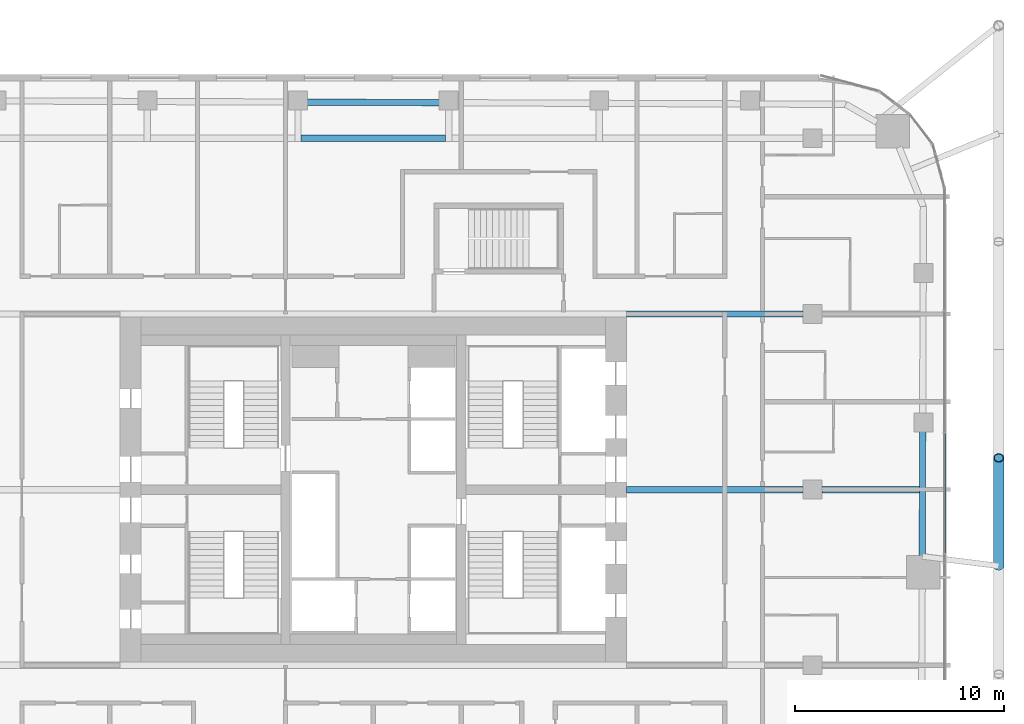
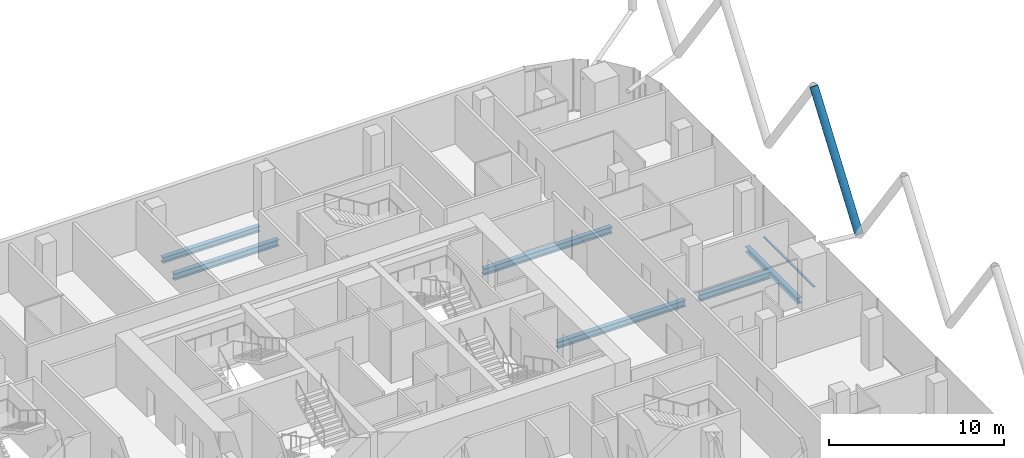
# One storey, part 12 of 36: 6 beams, 2 members, 1 element without a shape of its own.
"""IFC4 building model written with IfcOpenShell, lengths in metres."""

from ifc_helpers import new_model, si_unit, direction, frame, origin, origin_2d, place, context, subcontext, project, spatial, rectangle, hollow_circle, i_section, extrude, material, layer, layer_set, material_profile, profile_set, type_object, element, aggregate, save


model = new_model("IFC4")

# Units and contexts
model_context = context("Model", 3, precision=1e-05, world=origin(), true_north=direction((0.0, 1.0)))
body_context = subcontext(model_context, "Body", "Model", "MODEL_VIEW")
ifc_project = project(units=[si_unit("LENGTHUNIT", "METRE"), si_unit("AREAUNIT", "SQUARE_METRE"), si_unit("VOLUMEUNIT", "CUBIC_METRE"), si_unit("PLANEANGLEUNIT", "RADIAN"), si_unit("MASSUNIT", "GRAM", prefix="KILO")], contexts=[model_context])

# Site, building, storey
site_placement = place(None, origin())
site = spatial("IfcSite", under=ifc_project, at=site_placement, CompositionType="ELEMENT")
building_placement = place(site_placement, origin())
building = spatial("IfcBuilding", under=site, at=building_placement, Name="Marenta Gate Hotel Tower", CompositionType="ELEMENT")
storey_placement = place(building_placement, frame((0.0, 0.0, 158.89990234375)))
storey = spatial("IfcBuildingStorey", under=building, at=storey_placement, Name="L37", CompositionType="ELEMENT", Elevation=158.89990234375)

# Member
ifc_material_1 = material(Name="Steel S355J2W", Category="steel")
ifc_material_profile_1 = material_profile(ifc_material_1, hollow_circle(Radius=0.25390625, WallThickness=0.0400390625, at=origin_2d()), Name="CHS 508x40")
ifc_profile_set_1 = profile_set([ifc_material_profile_1], Name="Steel S355J2W")
member_type_1 = type_object("IfcMemberType", Name="Diagrid diagonal Z2 CHS 508x40", PredefinedType="BRACE", material=ifc_profile_set_1)
member_1_placement = place(storey_placement, frame((29.89990234375, 4.75, 3.14013671875), z_axis=(0.0, 0.583260841117, 0.812284919975), x_axis=(-1.0, 0.0, 0.0)))
element("IfcMember", 1, at=member_1_placement, inside=storey, type_object=member_type_1, Name="L37-DG-5", PredefinedType="BRACE", context=body_context, shape_type="SweptSolid", body=[
    extrude(hollow_circle(Radius=0.25390625, WallThickness=0.0400390625, at=origin_2d()), origin(), (0.0, 0.0, 1.0), 8.86376953125),
])

# Beams
ifc_material_2 = material(Name="Steel S355", Category="steel")
ifc_material_profile_2 = material_profile(ifc_material_2, i_section(OverallWidth=0.300048828125, OverallDepth=0.39990234375, WebThickness=0.013427734375, FlangeThickness=0.02392578125, FilletRadius=0.027099609375, at=origin_2d()), Name="HEB 400")
ifc_profile_set_2 = profile_set([ifc_material_profile_2], Name="Steel S355")
beam_type_1 = type_object("IfcBeamType", Name="Edge beam HEB 400", PredefinedType="SPANDREL", material=ifc_profile_set_2)
beam_1_placement = place(storey_placement, frame((-3.19140625, 26.926513671875, -0.4599609375), z_axis=(0.999991624938, -0.004092682982, 0.0), x_axis=(0.004092682982, 0.999991624938, 0.0)))
element("IfcBeam", 2, at=beam_1_placement, inside=storey, type_object=beam_type_1, Name="L37-EB-16", PredefinedType="SPANDREL", context=body_context, shape_type="SweptSolid", body=[
    extrude(i_section(OverallWidth=0.300048828125, OverallDepth=0.39990234375, WebThickness=0.013427734375, FlangeThickness=0.02392578125, FilletRadius=0.027099609375, at=origin_2d()), origin(), (0.0, 0.0, 1.0), 6.3828125),
])
beam_2_placement = place(storey_placement, frame((26.26416015625, 11.193115234375, -0.4599609375), z_axis=(-0.003305160059, -0.999994537944, 0.0), x_axis=(0.999994537944, -0.003305160059, 0.0)))
element("IfcBeam", 3, at=beam_2_placement, inside=storey, type_object=beam_type_1, Name="L37-EB-24", PredefinedType="SPANDREL", context=body_context, shape_type="SweptSolid", body=[
    extrude(i_section(OverallWidth=0.300048828125, OverallDepth=0.39990234375, WebThickness=0.013427734375, FlangeThickness=0.02392578125, FilletRadius=0.027099609375, at=origin_2d()), origin(), (0.0, 0.0, 1.0), 5.983154296875),
])
ifc_material_3 = material(Name="Steel S355", Category="steel")
ifc_material_profile_3 = material_profile(ifc_material_3, i_section(OverallWidth=0.300048828125, OverallDepth=0.449951171875, WebThickness=0.013916015625, FlangeThickness=0.02587890625, FilletRadius=0.027099609375, at=origin_2d()), Name="HEB 450")
ifc_profile_set_3 = profile_set([ifc_material_profile_3], Name="Steel S355")
beam_type_2 = type_object("IfcBeamType", Name="Girder HEB 450", PredefinedType="BEAM", material=ifc_profile_set_3)
beam_3_placement = place(storey_placement, frame((12.10009765625, 8.39990234375, -0.48486328125), z_axis=(1.0, 0.0, 0.0), x_axis=(0.0, 1.0, 0.0)))
element("IfcBeam", 4, at=beam_3_placement, inside=storey, type_object=beam_type_2, Name="L37-GD-22", PredefinedType="BEAM", context=body_context, shape_type="SweptSolid", body=[
    extrude(i_section(OverallWidth=0.300048828125, OverallDepth=0.449951171875, WebThickness=0.013916015625, FlangeThickness=0.02587890625, FilletRadius=0.027099609375, at=origin_2d()), origin(), (0.0, 0.0, 1.0), 8.449951171875),
])
beam_4_placement = place(storey_placement, frame((21.449951171875, 8.39990234375, -0.48486328125), z_axis=(1.0, 0.0, 0.0), x_axis=(0.0, 1.0, 0.0)))
element("IfcBeam", 5, at=beam_4_placement, inside=storey, type_object=beam_type_2, Name="L37-GD-23", PredefinedType="BEAM", context=body_context, shape_type="SweptSolid", body=[
    extrude(i_section(OverallWidth=0.300048828125, OverallDepth=0.449951171875, WebThickness=0.013916015625, FlangeThickness=0.02587890625, FilletRadius=0.027099609375, at=origin_2d()), origin(), (0.0, 0.0, 1.0), 4.655029296875),
])
beam_5_placement = place(storey_placement, frame((12.10009765625, 16.800048828125, -0.48486328125), z_axis=(1.0, 0.0, 0.0), x_axis=(0.0, 1.0, 0.0)))
element("IfcBeam", 6, at=beam_5_placement, inside=storey, type_object=beam_type_2, Name="L37-GD-27", PredefinedType="BEAM", context=body_context, shape_type="SweptSolid", body=[
    extrude(i_section(OverallWidth=0.300048828125, OverallDepth=0.449951171875, WebThickness=0.013916015625, FlangeThickness=0.02587890625, FilletRadius=0.027099609375, at=origin_2d()), origin(), (0.0, 0.0, 1.0), 8.449951171875),
])
beam_6_placement = place(storey_placement, frame((-3.451416015625, 25.199951171875, -0.48486328125), z_axis=(1.0, 0.0, 0.0), x_axis=(0.0, 1.0, 0.0)))
element("IfcBeam", 7, at=beam_6_placement, inside=storey, type_object=beam_type_2, Name="L37-GD-32", PredefinedType="BEAM", context=body_context, shape_type="SweptSolid", body=[
    extrude(i_section(OverallWidth=0.300048828125, OverallDepth=0.449951171875, WebThickness=0.013916015625, FlangeThickness=0.02587890625, FilletRadius=0.027099609375, at=origin_2d()), origin(), (0.0, 0.0, 1.0), 6.90283203125),
])

# Curtain wall, member
ifc_material_4 = material(Name="Tinted insulated glass in bronze anodised frame", Category="glass")
ifc_layer = layer(ifc_material_4, 0.1201171875)
ifc_layer_set = layer_set([ifc_layer], Name="Tinted insulated glass in bronze anodised frame")
curtain_wall_type = type_object("IfcCurtainWallType", Name="Tower unitised curtain wall CW1", PredefinedType="NOTDEFINED", material=ifc_layer_set)
curtain_wall_placement = place(storey_placement, origin())
curtain_wall = element("IfcCurtainWall", 8, at=curtain_wall_placement, inside=storey, type_object=curtain_wall_type, Name="CW1 run G35", PredefinedType="NOTDEFINED")
ifc_material_5 = material(Name="Bronze anodised aluminium", Category="aluminium")
ifc_material_profile_4 = material_profile(ifc_material_5, rectangle(XDim=0.1201171875, YDim=0.06005859375, at=origin_2d()), Name="Transom CW1 60x120 bronze anodised aluminium")
ifc_profile_set_4 = profile_set([ifc_material_profile_4], Name="Bronze anodised aluminium")
member_type_2 = type_object("IfcMemberType", Name="Transom CW1 60x120 bronze anodised aluminium", PredefinedType="USERDEFINED", material=ifc_profile_set_4)
member_2_placement = place(storey_placement, frame((27.31396484375, 5.36376953125, 0.030029296875), z_axis=(0.0, 1.0, 0.0), x_axis=(-1.0, 0.0, 0.0)))
member_2 = element("IfcMember", 9, at=member_2_placement, type_object=member_type_2, Name="CW1 transom 1.1", ObjectType="TRANSOM", PredefinedType="USERDEFINED", context=body_context, shape_type="SweptSolid", body=[
    extrude(rectangle(XDim=0.1201171875, YDim=0.06005859375, at=origin_2d()), origin(), (0.0, 0.0, 1.0), 5.7392578125),
])
aggregate(curtain_wall, [member_2])

save(model, "model.ifc")
